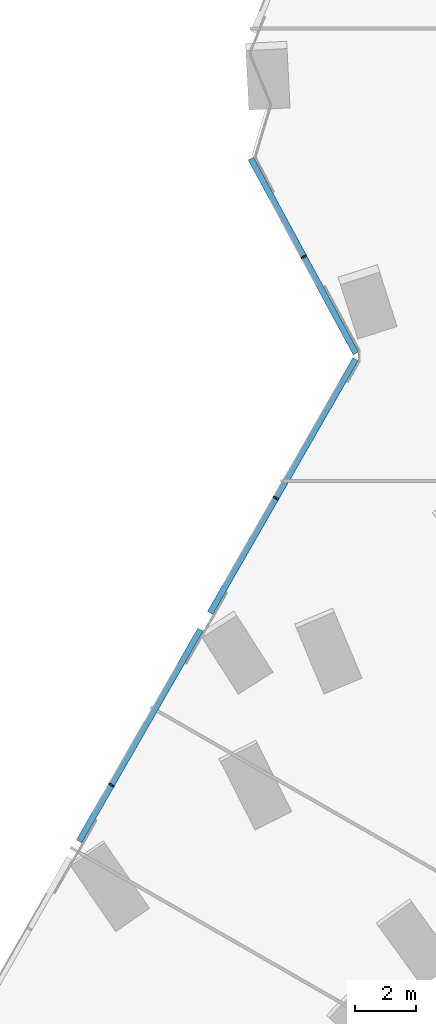
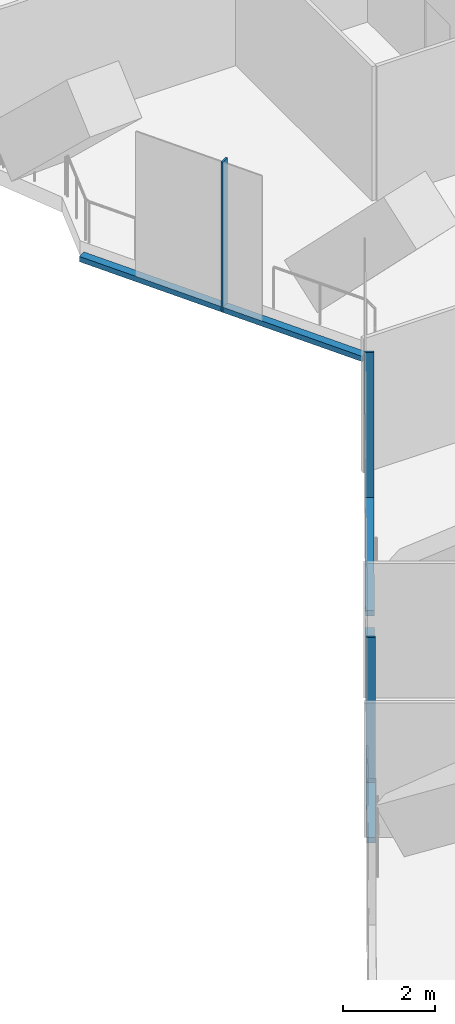
# One storey, part 7 of 37: 6 members, 2 elements without a shape of their own.
"""IFC4 building model written with IfcOpenShell, lengths in metres."""

import ifcopenshell
import ifcopenshell.guid

model = None  # the IFC model being written
_history = None  # IfcOwnerHistory: only IFC2X3 demands one
_inside = {}  # id of a spatial element -> (the spatial element, [elements in it])
_under = {}  # id of a project, library or spatial element -> (it, [spatial elements below it])
_declared = {}  # id of a project -> (the project, [libraries it declares])
_typed = {}  # id of a type object -> (the type object, [elements of that type])
_made_of = {}  # id of a material, layer set ... -> (it, [elements and type objects made of it])


def new_model(schema):
    """Start an empty IFC model of exactly this schema.

    Asked for "IFC4X3", IfcOpenShell would pick the latest addendum, in which some entities
    have other attributes; the version numbers below select the first issue.
    IFC2X3 requires an IfcOwnerHistory on every rooted entity: one is made here for all.
    """
    global model, _history
    if schema == "IFC4X3":
        model = ifcopenshell.file(schema_version=(4, 3, 0, 0))
    else:
        model = ifcopenshell.file(schema=schema)
    _inside.clear()
    _under.clear()
    _declared.clear()
    _typed.clear()
    _made_of.clear()
    _history = None
    if model.schema == "IFC2X3":
        org = make("IfcOrganization", Name="unknown")
        user = make(
            "IfcPersonAndOrganization",
            ThePerson=make("IfcPerson", FamilyName="unknown"),
            TheOrganization=org,
        )
        app = make(
            "IfcApplication",
            ApplicationDeveloper=org,
            Version="unknown",
            ApplicationFullName="unknown",
            ApplicationIdentifier="unknown",
        )
        _history = make(
            "IfcOwnerHistory",
            OwningUser=user,
            OwningApplication=app,
            ChangeAction="ADDED",
            CreationDate=0,
        )
    return model


def make(cls, **values):
    """One entity of the class cls with the attributes given. An attribute that is None is left unset."""
    return model.create_entity(
        cls, **{name: value for name, value in values.items() if value is not None}
    )


def rooted(cls, **values):
    """An entity with a GlobalId (a new one), such as an element, a storey or a relation."""
    return make(cls, GlobalId=ifcopenshell.guid.new(), OwnerHistory=_history, **values)


def si_unit(unit_type, name, prefix=None):
    """IfcSIUnit, for example si_unit("LENGTHUNIT", "METRE", prefix="MILLI")."""
    return make("IfcSIUnit", UnitType=unit_type, Prefix=prefix, Name=name)


def assignment(units):
    """IfcUnitAssignment: the units of a project."""
    return None if units is None else make("IfcUnitAssignment", Units=units)


def point(xyz):
    """IfcCartesianPoint."""
    return None if xyz is None else make("IfcCartesianPoint", Coordinates=xyz)


def direction(xyz):
    """IfcDirection."""
    return None if xyz is None else make("IfcDirection", DirectionRatios=xyz)


def frame(location, z_axis=None, x_axis=None):
    """IfcAxis2Placement3D, a coordinate frame: its origin and axes. An axis left out is left unset."""
    return make(
        "IfcAxis2Placement3D",
        Location=point(location),
        Axis=direction(z_axis),
        RefDirection=direction(x_axis),
    )


def frame_2d(location, x_axis=None):
    """IfcAxis2Placement2D, a coordinate frame in the plane: its origin and x axis."""
    return make(
        "IfcAxis2Placement2D", Location=point(location), RefDirection=direction(x_axis)
    )


def origin():
    """The frame at (0, 0, 0) with its axes left unset."""
    return frame((0.0, 0.0, 0.0))


def origin_2d():
    """The frame at (0, 0) in the plane with its x axis left unset."""
    return frame_2d((0.0, 0.0))


def place(relative_to, where):
    """IfcLocalPlacement: puts the frame where relative to a parent placement (None: the world)."""
    return make(
        "IfcLocalPlacement", PlacementRelTo=relative_to, RelativePlacement=where
    )


def context(
    kind, dimensions, precision=None, world=None, true_north=None, identifier=None
):
    """IfcGeometricRepresentationContext, for example the 3D "Model" context."""
    return make(
        "IfcGeometricRepresentationContext",
        ContextIdentifier=identifier,
        ContextType=kind,
        CoordinateSpaceDimension=dimensions,
        Precision=precision,
        WorldCoordinateSystem=world,
        TrueNorth=true_north,
    )


def subcontext(parent, identifier, kind, view, scale=None):
    """IfcGeometricRepresentationSubContext, for example "Body" below "Model"."""
    return make(
        "IfcGeometricRepresentationSubContext",
        ContextIdentifier=identifier,
        ContextType=kind,
        ParentContext=parent,
        TargetScale=scale,
        TargetView=view,
    )


def project(units=None, contexts=None):
    """IfcProject with its units and contexts."""
    return rooted(
        "IfcProject",
        Name="project",
        RepresentationContexts=contexts,
        UnitsInContext=assignment(units),
    )


def spatial(cls, under=None, at=None, **own):
    """A site, building, storey or space (cls), placed at a placement, below another one or the project."""
    s = rooted(cls, ObjectPlacement=at, **own)
    if under is not None:
        _under.setdefault(under.id(), (under, []))[1].append(s)
    return s


def profile(cls, at=None, kind="AREA", **sizes):
    """A parametric profile (cls). Its sizes go by their IFC names, for example OverallWidth=200.0."""
    return make(cls, ProfileType=kind, Position=at, **sizes)


def rectangle(**sizes):
    """IfcRectangleProfileDef."""
    return profile("IfcRectangleProfileDef", **sizes)


def extrude(swept, where, along, depth):
    """IfcExtrudedAreaSolid: the profile swept, set in the frame where, extruded along a direction by depth."""
    return make(
        "IfcExtrudedAreaSolid",
        SweptArea=swept,
        Position=where,
        ExtrudedDirection=direction(along),
        Depth=depth,
    )


def shape(context_of_items, identifier, shape_type, items):
    """IfcShapeRepresentation: the items that make up one representation, for example the "Body"."""
    return make(
        "IfcShapeRepresentation",
        ContextOfItems=context_of_items,
        RepresentationIdentifier=identifier,
        RepresentationType=shape_type,
        Items=items,
    )


def material(Name=None, Category=None):
    """IfcMaterial."""
    return make("IfcMaterial", Name=Name, Category=Category)


def material_profile(
    of_material, cross_section, Name=None, Category=None, Priority=None
):
    """IfcMaterialProfile: a cross section and its material."""
    return make(
        "IfcMaterialProfile",
        Name=Name,
        Material=of_material,
        Profile=cross_section,
        Priority=Priority,
        Category=Category,
    )


def profile_set(profiles, Name=None, composite=None):
    """IfcMaterialProfileSet."""
    return make(
        "IfcMaterialProfileSet",
        Name=Name,
        MaterialProfiles=profiles,
        CompositeProfile=composite,
    )


def made_of(thing, what):
    """Note that an element or type object is made of a material, layer set ...; save() writes the relation."""
    if what is not None:
        _made_of.setdefault(what.id(), (what, []))[1].append(thing)
    return thing


def type_object(cls, material=None, **own):
    """A type object (cls), such as IfcWallType, which elements share."""
    return made_of(rooted(cls, **own), material)


def element(
    cls,
    number,
    at=None,
    inside=None,
    cuts=None,
    type_object=None,
    material=None,
    context=None,
    identifier="Body",
    shape_type=None,
    held_by="IfcProductDefinitionShape",
    body=None,
    shapes=None,
    **own,
):
    """One element of the class cls, such as IfcWall. Its Tag is "e" and its number.

    at: its placement. inside: the storey or other place that contains it. cuts: it is an
    opening in that element (IfcRelVoidsElement). A single representation is given by context,
    identifier, shape_type and body (its items); several are given by shapes. held_by: the class
    of the entity that holds the representations. save() writes the other relations.
    """
    e = rooted(cls, Tag="e%d" % number, ObjectPlacement=at, **own)
    if body is not None:
        shapes = [shape(context, identifier, shape_type, body)]
    if shapes is not None:
        e.Representation = make(held_by, Representations=shapes)
    if inside is not None:
        _inside.setdefault(inside.id(), (inside, []))[1].append(e)
    if cuts is not None:
        rooted(
            "IfcRelVoidsElement", RelatingBuildingElement=cuts, RelatedOpeningElement=e
        )
    if type_object is not None:
        _typed.setdefault(type_object.id(), (type_object, []))[1].append(e)
    return made_of(e, material)


def aggregate(whole, parts):
    """IfcRelAggregates: a whole, such as a stair, and the parts it consists of."""
    return rooted("IfcRelAggregates", RelatingObject=whole, RelatedObjects=parts)


def save(model, path):
    """Write the relations noted so far, then the file.

    IfcRelAggregates (storeys below a building ...), IfcRelContainedInSpatialStructure (elements
    in a storey), IfcRelDefinesByType, IfcRelAssociatesMaterial and IfcRelDeclares: one each for
    every whole, place, type object, material and project.
    """
    for whole, parts in _under.values():
        aggregate(whole, parts)
    for where, things in _inside.values():
        rooted(
            "IfcRelContainedInSpatialStructure",
            RelatedElements=things,
            RelatingStructure=where,
        )
    for kind, things in _typed.values():
        rooted("IfcRelDefinesByType", RelatedObjects=things, RelatingType=kind)
    for what, things in _made_of.values():
        rooted("IfcRelAssociatesMaterial", RelatedObjects=things, RelatingMaterial=what)
    for by, libraries in _declared.values():
        rooted("IfcRelDeclares", RelatingContext=by, RelatedDefinitions=libraries)
    model.write(path)


model = new_model("IFC4")

# Units and contexts
model_context = context("Model", 3, precision=1e-05, world=origin(), true_north=direction((0.0, 1.0)))
body_context = subcontext(model_context, "Body", "Model", "MODEL_VIEW")
ifc_project = project(units=[si_unit("LENGTHUNIT", "METRE"), si_unit("AREAUNIT", "SQUARE_METRE"), si_unit("VOLUMEUNIT", "CUBIC_METRE"), si_unit("PLANEANGLEUNIT", "RADIAN"), si_unit("MASSUNIT", "GRAM", prefix="KILO")], contexts=[model_context])

# Site, building, storey
site_placement = place(None, origin())
site = spatial("IfcSite", under=ifc_project, at=site_placement, CompositionType="ELEMENT")
building_placement = place(site_placement, origin())
building = spatial("IfcBuilding", under=site, at=building_placement, Name="Orlundy Tower", CompositionType="ELEMENT")
storey_placement = place(building_placement, frame((0.0, 0.0, 119.699951171875)))
storey = spatial("IfcBuildingStorey", under=building, at=storey_placement, Name="L30", CompositionType="ELEMENT", Elevation=119.699951171875)

# Curtain wall, members
ifc_material_1 = material(Name="Aluminium bronze anodised", Category="aluminium")
curtain_wall_type = type_object("IfcCurtainWallType", Name="CW5 wall", PredefinedType="NOTDEFINED", material=ifc_material_1)
curtain_wall_1_placement = place(storey_placement, origin())
curtain_wall_1 = element("IfcCurtainWall", 1, at=curtain_wall_1_placement, inside=storey, type_object=curtain_wall_type, Name="CW5 run 042", PredefinedType="NOTDEFINED")
ifc_material_2 = material(Name="Aluminium bronze anodised", Category="aluminium")
ifc_material_profile_1 = material_profile(ifc_material_2, rectangle(XDim=0.199951171875, YDim=0.050048828125, at=origin_2d()), Name="CW5 mullion 50x200")
ifc_profile_set_1 = profile_set([ifc_material_profile_1], Name="Aluminium bronze anodised")
member_type_1 = type_object("IfcMemberType", Name="CW5 mullion 50x200", PredefinedType="MULLION", material=ifc_profile_set_1)
member_1_placement = place(storey_placement, frame((-36.916259765625, -23.968994140625, -0.39990234375), z_axis=(0.0, 0.0, 1.0), x_axis=(-0.867479269634, 0.497473332708, 0.0)))
member_1 = element("IfcMember", 2, at=member_1_placement, type_object=member_type_1, Name="CW5 mullion 72", PredefinedType="MULLION", context=body_context, shape_type="SweptSolid", body=[
    extrude(rectangle(XDim=0.199951171875, YDim=0.050048828125, at=origin_2d()), origin(), (0.0, 0.0, 1.0), 4.0),
])
member_2_placement = place(storey_placement, frame((-31.5224609375, -14.56396484375, -0.39990234375), z_axis=(0.0, 0.0, 1.0), x_axis=(-0.867479269634, 0.497473332708, 0.0)))
member_2 = element("IfcMember", 3, at=member_2_placement, type_object=member_type_1, Name="CW5 mullion 74", PredefinedType="MULLION", context=body_context, shape_type="SweptSolid", body=[
    extrude(rectangle(XDim=0.199951171875, YDim=0.050048828125, at=origin_2d()), origin(), (0.0, 0.0, 1.0), 4.0),
])

# Curtain wall, member
curtain_wall_2_placement = place(storey_placement, origin())
curtain_wall_2 = element("IfcCurtainWall", 4, at=curtain_wall_2_placement, inside=storey, type_object=curtain_wall_type, Name="CW5 run 043", PredefinedType="NOTDEFINED")
member_3_placement = place(storey_placement, frame((-30.609619140625, -6.653076171875, -0.39990234375), z_axis=(0.0, 0.0, 1.0), x_axis=(-0.880180227785, -0.474639617623, 0.0)))
member_3 = element("IfcMember", 5, at=member_3_placement, type_object=member_type_1, Name="CW5 mullion 76", PredefinedType="MULLION", context=body_context, shape_type="SweptSolid", body=[
    extrude(rectangle(XDim=0.199951171875, YDim=0.050048828125, at=origin_2d()), origin(), (0.0, 0.0, 1.0), 4.0),
])

# Member
ifc_material_3 = material(Name="Aluminium bronze anodised", Category="aluminium")
ifc_material_profile_2 = material_profile(ifc_material_3, rectangle(XDim=0.199951171875, YDim=0.139892578125, at=origin_2d()), Name="CW5 transom 200x140")
ifc_profile_set_2 = profile_set([ifc_material_profile_2], Name="Aluminium bronze anodised")
member_type_2 = type_object("IfcMemberType", Name="CW5 transom 200x140", PredefinedType="USERDEFINED", material=ifc_profile_set_2)
member_4_placement = place(storey_placement, frame((-37.974853515625, -25.81494140625, -0.329833984375), z_axis=(0.497476311436, 0.867477561416, 0.0), x_axis=(-0.867477561416, 0.497476311436, 0.0)))
member_4 = element("IfcMember", 6, at=member_4_placement, type_object=member_type_2, Name="CW5 transom", ObjectType="TRANSOM", PredefinedType="USERDEFINED", context=body_context, shape_type="SweptSolid", body=[
    extrude(rectangle(XDim=0.199951171875, YDim=0.139892578125, at=origin_2d()), origin(), (0.0, 0.0, 1.0), 7.997802734375),
])

member_5_placement = place(storey_placement, frame((-33.679931640625, -18.325927734375, -0.329833984375), z_axis=(0.497482520434, 0.867474000684, 0.0), x_axis=(-0.867474000684, 0.497482520434, 0.0)))
member_5 = element("IfcMember", 7, at=member_5_placement, type_object=member_type_2, Name="CW5 transom", ObjectType="TRANSOM", PredefinedType="USERDEFINED", context=body_context, shape_type="SweptSolid", body=[
    extrude(rectangle(XDim=0.199951171875, YDim=0.139892578125, at=origin_2d()), origin(), (0.0, 0.0, 1.0), 9.58447265625),
])

aggregate(curtain_wall_1, [member_1, member_2, member_4, member_5])

member_6_placement = place(storey_placement, frame((-28.90087890625, -9.821533203125, -0.329833984375), z_axis=(-0.474633505468, 0.880183523753, 0.0), x_axis=(-0.880183523753, -0.474633505468, 0.0)))
member_6 = element("IfcMember", 8, at=member_6_placement, type_object=member_type_2, Name="CW5 transom", ObjectType="TRANSOM", PredefinedType="USERDEFINED", context=body_context, shape_type="SweptSolid", body=[
    extrude(rectangle(XDim=0.199951171875, YDim=0.139892578125, at=origin_2d()), origin(), (0.0, 0.0, 1.0), 7.25537109375),
])

aggregate(curtain_wall_2, [member_3, member_6])

save(model, "model.ifc")
